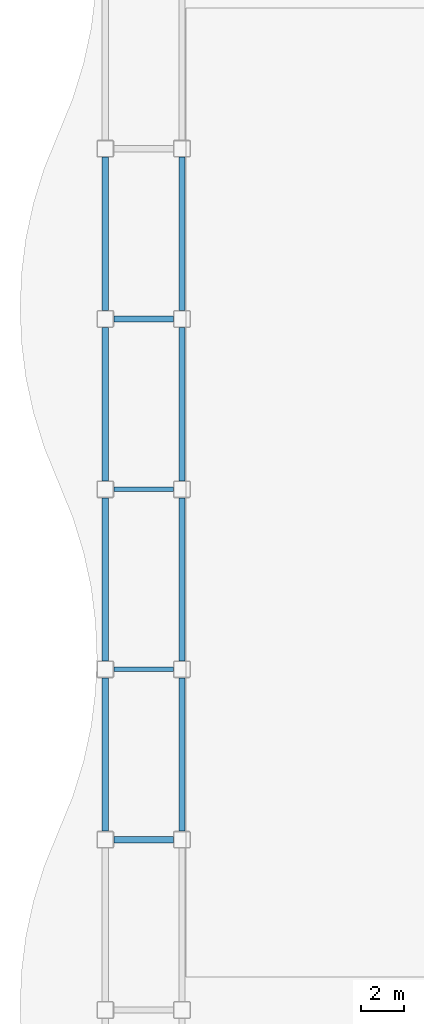
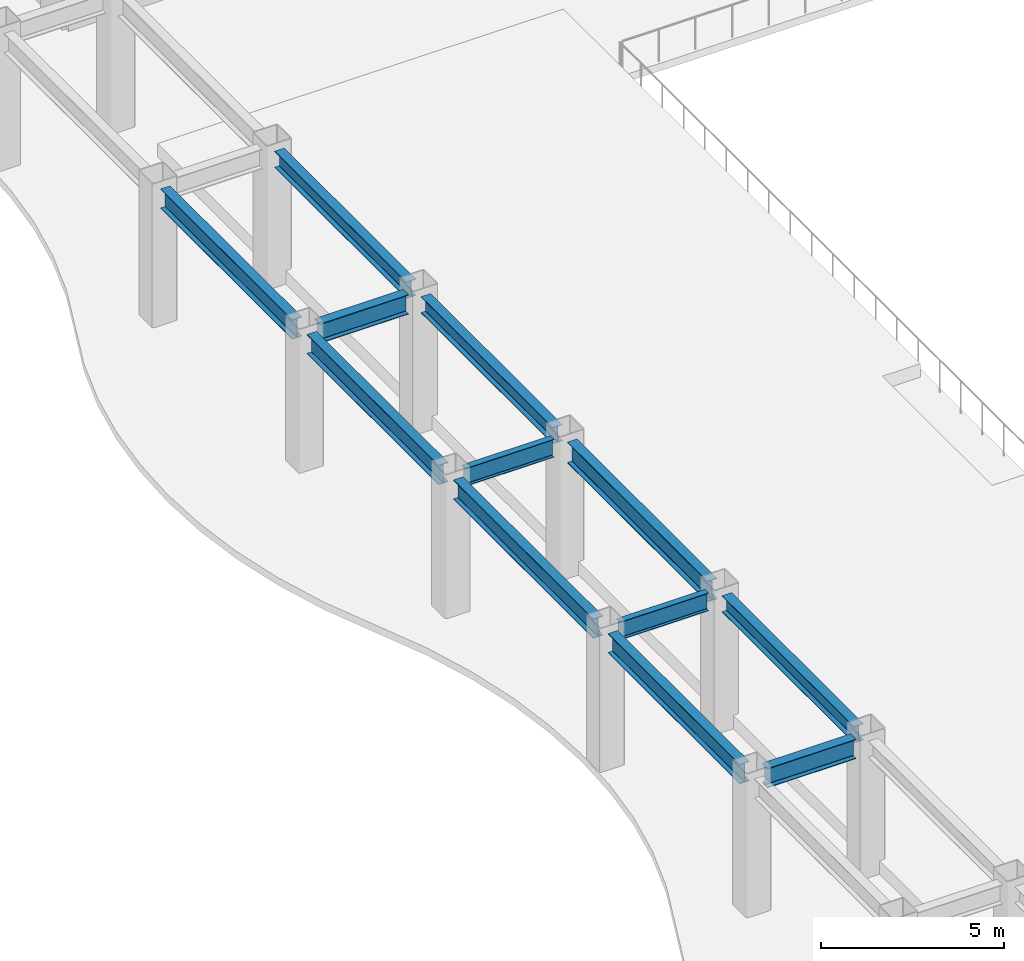
# One storey, part 61 of 154: 12 beams.
"""IFC4 building model written with IfcOpenShell, lengths in metres."""

from ifc_helpers import new_model, si_unit, direction, frame, origin, origin_2d, place, context, subcontext, project, spatial, i_section, extrude, material, material_profile, profile_set, type_object, element, save


model = new_model("IFC4")

# Units and contexts
model_context = context("Model", 3, precision=1e-05, world=origin(), true_north=direction((0.0, 1.0)))
body_context = subcontext(model_context, "Body", "Model", "MODEL_VIEW")
ifc_project = project(units=[si_unit("LENGTHUNIT", "METRE"), si_unit("AREAUNIT", "SQUARE_METRE"), si_unit("VOLUMEUNIT", "CUBIC_METRE"), si_unit("PLANEANGLEUNIT", "RADIAN"), si_unit("MASSUNIT", "GRAM", prefix="KILO")], contexts=[model_context])

# Site, building, storey
site_placement = place(None, origin())
site = spatial("IfcSite", under=ifc_project, at=site_placement, CompositionType="ELEMENT")
building_placement = place(site_placement, origin())
building = spatial("IfcBuilding", under=site, at=building_placement, Name="Kazehara Bluff Congress Hotel", CompositionType="ELEMENT")
storey_placement = place(building_placement, frame((0.0, 0.0, 10.199951171875)))
storey = spatial("IfcBuildingStorey", under=building, at=storey_placement, Name="L02", CompositionType="ELEMENT", Elevation=10.199951171875)

# Beams
ifc_material_1 = material(Name="Steel SN490B", Category="steel")
ifc_material_profile_1 = material_profile(ifc_material_1, i_section(OverallWidth=0.300048828125, OverallDepth=0.64990234375, WebThickness=0.011962890625, FlangeThickness=0.02001953125, FilletRadius=0.012939453125, at=origin_2d()))
ifc_profile_set_1 = profile_set([ifc_material_profile_1], Name="Steel SN490B")
beam_type_1 = type_object("IfcBeamType", Name="TP-G-03", PredefinedType="BEAM", material=ifc_profile_set_1)
beam_1_placement = place(storey_placement, frame((4.800048828125, 64.85009765625, 4.235107421875), z_axis=(0.0, 1.0, 0.0), x_axis=(-1.0, 0.0, 0.0)))
element("IfcBeam", 1, at=beam_1_placement, inside=storey, type_object=beam_type_1, Name="L02 girder G-03 3", PredefinedType="BEAM", context=body_context, shape_type="SweptSolid", body=[
    extrude(i_section(OverallWidth=0.300048828125, OverallDepth=0.64990234375, WebThickness=0.011962890625, FlangeThickness=0.02001953125, FilletRadius=0.012939453125, at=origin_2d()), origin(), (0.0, 0.0, 1.0), 7.199951171875),
])
beam_2_placement = place(storey_placement, frame((4.800048828125, 72.85009765625, 4.235107421875), z_axis=(0.0, 1.0, 0.0), x_axis=(-1.0, 0.0, 0.0)))
element("IfcBeam", 2, at=beam_2_placement, inside=storey, type_object=beam_type_1, Name="L02 girder G-03 4", PredefinedType="BEAM", context=body_context, shape_type="SweptSolid", body=[
    extrude(i_section(OverallWidth=0.300048828125, OverallDepth=0.64990234375, WebThickness=0.011962890625, FlangeThickness=0.02001953125, FilletRadius=0.012939453125, at=origin_2d()), origin(), (0.0, 0.0, 1.0), 7.64990234375),
])
for number, where, z_axis, x_axis, name in (
    (3, (4.800048828125, 81.300048828125, 4.235107421875), (0.0, 1.0, 0.0), (-1.0, 0.0, 0.0), "L02 girder G-03 5"),
    (4, (4.800048828125, 89.300048828125, 4.235107421875), (0.0, 1.0, 0.0), (-1.0, 0.0, 0.0), "L02 girder G-03 6"),
):
    element("IfcBeam", number, at=place(storey_placement, frame(where, z_axis=z_axis, x_axis=x_axis)), inside=storey, type_object=beam_type_1, Name=name, PredefinedType="BEAM", context=body_context, shape_type="SweptSolid", body=[
        extrude(i_section(OverallWidth=0.300048828125, OverallDepth=0.64990234375, WebThickness=0.011962890625, FlangeThickness=0.02001953125, FilletRadius=0.012939453125, at=origin_2d()), origin(), (0.0, 0.0, 1.0), 7.199951171875),
    ])
for number, where, z_axis, x_axis, name in (
    (5, (5.199951171875, 64.449951171875, 4.235107421875), (1.0, 0.0, 0.0), (0.0, 1.0, 0.0), "L02 girder G-03 32"),
    (6, (5.199951171875, 88.89990234375, 4.235107421875), (1.0, 0.0, 0.0), (0.0, 1.0, 0.0), "L02 girder G-03 35"),
):
    element("IfcBeam", number, at=place(storey_placement, frame(where, z_axis=z_axis, x_axis=x_axis)), inside=storey, type_object=beam_type_1, Name=name, PredefinedType="BEAM", context=body_context, shape_type="SweptSolid", body=[
        extrude(i_section(OverallWidth=0.300048828125, OverallDepth=0.64990234375, WebThickness=0.011962890625, FlangeThickness=0.02001953125, FilletRadius=0.012939453125, at=origin_2d()), origin(), (0.0, 0.0, 1.0), 2.800048828125),
    ])
ifc_material_2 = material(Name="Steel SN490B", Category="steel")
ifc_material_profile_2 = material_profile(ifc_material_2, i_section(OverallWidth=0.300048828125, OverallDepth=0.550048828125, WebThickness=0.010986328125, FlangeThickness=0.01806640625, FilletRadius=0.012939453125, at=origin_2d()))
ifc_profile_set_2 = profile_set([ifc_material_profile_2], Name="Steel SN490B")
beam_type_2 = type_object("IfcBeamType", Name="TP-SP-01", PredefinedType="SPANDREL", material=ifc_profile_set_2)
for number, where, z_axis, x_axis, name in (
    (7, (8.39990234375, 64.85009765625, 4.28515625), (0.0, 1.0, 0.0), (-1.0, 0.0, 0.0), "L02 girder SP-01 11"),
    (8, (8.39990234375, 81.300048828125, 4.28515625), (0.0, 1.0, 0.0), (-1.0, 0.0, 0.0), "L02 girder SP-01 13"),
    (9, (8.39990234375, 89.300048828125, 4.28515625), (0.0, 1.0, 0.0), (-1.0, 0.0, 0.0), "L02 girder SP-01 14"),
):
    element("IfcBeam", number, at=place(storey_placement, frame(where, z_axis=z_axis, x_axis=x_axis)), inside=storey, type_object=beam_type_2, Name=name, PredefinedType="SPANDREL", context=body_context, shape_type="SweptSolid", body=[
        extrude(i_section(OverallWidth=0.300048828125, OverallDepth=0.550048828125, WebThickness=0.010986328125, FlangeThickness=0.01806640625, FilletRadius=0.012939453125, at=origin_2d()), origin(), (0.0, 0.0, 1.0), 7.199951171875),
    ])
ifc_material_3 = material(Name="Steel SN490B", Category="steel")
ifc_material_profile_3 = material_profile(ifc_material_3, i_section(OverallWidth=0.199951171875, OverallDepth=0.60009765625, WebThickness=0.010986328125, FlangeThickness=0.01708984375, FilletRadius=0.012939453125, at=origin_2d()))
ifc_profile_set_3 = profile_set([ifc_material_profile_3], Name="Steel SN490B")
beam_type_3 = type_object("IfcBeamType", Name="TP-SP-02", PredefinedType="SPANDREL", material=ifc_profile_set_3)
for number, where, z_axis, x_axis, name in (
    (10, (5.199951171875, 72.449951171875, 4.260009765625), (1.0, 0.0, 0.0), (0.0, 1.0, 0.0), "L02 girder SP-02 33"),
    (11, (5.199951171875, 80.89990234375, 4.260009765625), (1.0, 0.0, 0.0), (0.0, 1.0, 0.0), "L02 girder SP-02 34"),
):
    element("IfcBeam", number, at=place(storey_placement, frame(where, z_axis=z_axis, x_axis=x_axis)), inside=storey, type_object=beam_type_3, Name=name, PredefinedType="SPANDREL", context=body_context, shape_type="SweptSolid", body=[
        extrude(i_section(OverallWidth=0.199951171875, OverallDepth=0.60009765625, WebThickness=0.010986328125, FlangeThickness=0.01708984375, FilletRadius=0.012939453125, at=origin_2d()), origin(), (0.0, 0.0, 1.0), 2.800048828125),
    ])
ifc_material_4 = material(Name="Steel SN490B", Category="steel")
ifc_material_profile_4 = material_profile(ifc_material_4, i_section(OverallWidth=0.300048828125, OverallDepth=0.699951171875, WebThickness=0.012939453125, FlangeThickness=0.02392578125, FilletRadius=0.01806640625, at=origin_2d()))
ifc_profile_set_4 = profile_set([ifc_material_profile_4], Name="Steel SN490B")
beam_type_4 = type_object("IfcBeamType", Name="TP-SP-03", PredefinedType="SPANDREL", material=ifc_profile_set_4)
beam_3_placement = place(storey_placement, frame((8.39990234375, 72.85009765625, 4.2099609375), z_axis=(0.0, 1.0, 0.0), x_axis=(-1.0, 0.0, 0.0)))
element("IfcBeam", 12, at=beam_3_placement, inside=storey, type_object=beam_type_4, Name="L02 girder SP-03 12", PredefinedType="SPANDREL", context=body_context, shape_type="SweptSolid", body=[
    extrude(i_section(OverallWidth=0.300048828125, OverallDepth=0.699951171875, WebThickness=0.012939453125, FlangeThickness=0.02392578125, FilletRadius=0.01806640625, at=origin_2d()), origin(), (0.0, 0.0, 1.0), 7.64990234375),
])

save(model, "model.ifc")
